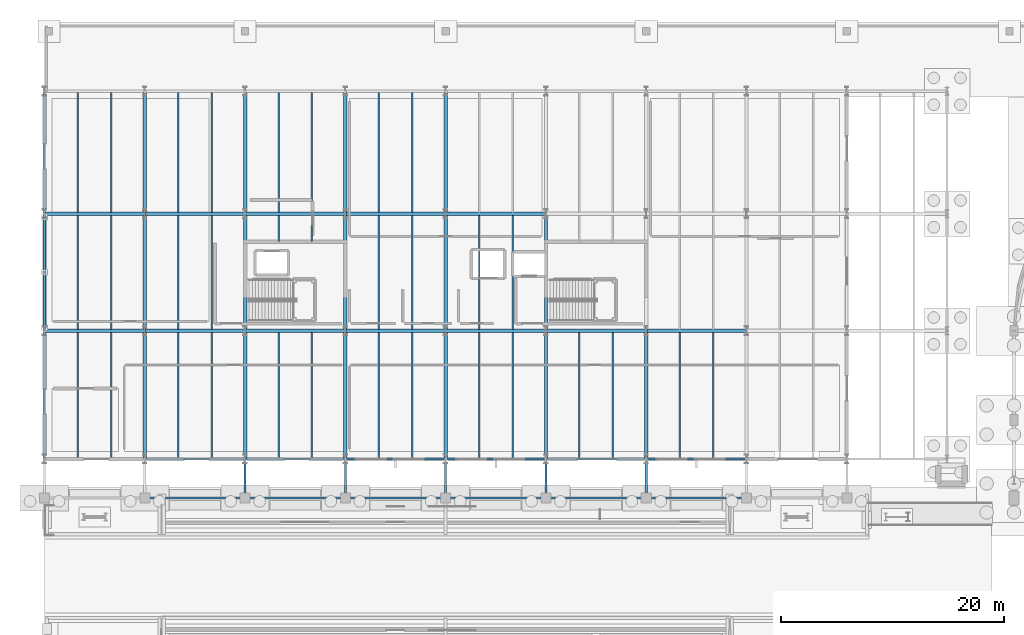
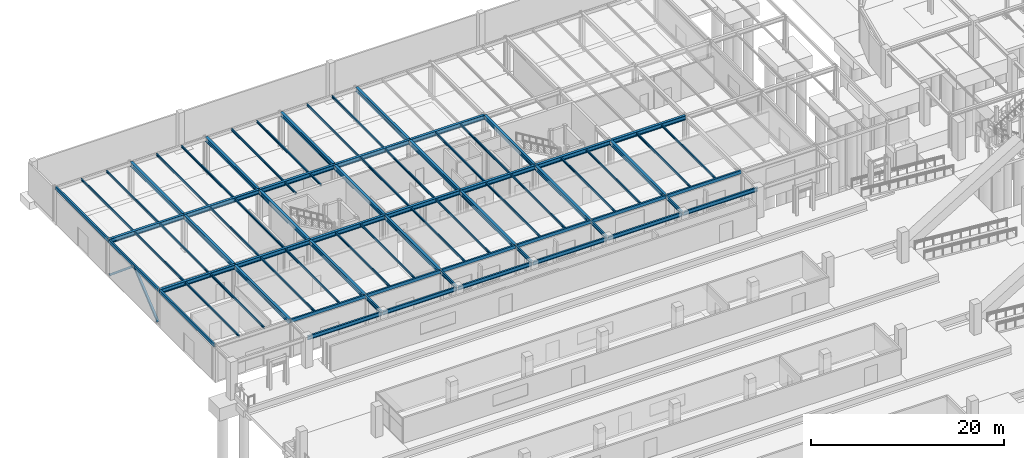
# One storey, part 74 of 160: 79 beams, 2 members.
"""IFC4 building model written with IfcOpenShell, lengths in metres."""

from ifc_helpers import new_model, si_unit, direction, frame, origin, origin_2d, place, context, subcontext, project, spatial, hollow_rectangle, i_section, extrude, material, material_profile, profile_set, type_object, element, save


model = new_model("IFC4")

# Units and contexts
model_context = context("Model", 3, precision=1e-05, world=origin(), true_north=direction((0.0, 1.0)))
body_context = subcontext(model_context, "Body", "Model", "MODEL_VIEW")
ifc_project = project(units=[si_unit("LENGTHUNIT", "METRE"), si_unit("AREAUNIT", "SQUARE_METRE"), si_unit("VOLUMEUNIT", "CUBIC_METRE"), si_unit("PLANEANGLEUNIT", "RADIAN"), si_unit("MASSUNIT", "GRAM", prefix="KILO")], contexts=[model_context])

# Site, building, storey
site_placement = place(None, origin())
site = spatial("IfcSite", under=ifc_project, at=site_placement, CompositionType="ELEMENT")
building_placement = place(site_placement, origin())
building = spatial("IfcBuilding", under=site, at=building_placement, Name="Marlcrest Central Station", CompositionType="ELEMENT")
storey_placement = place(building_placement, origin())
storey = spatial("IfcBuildingStorey", under=building, at=storey_placement, Name="L00", CompositionType="ELEMENT", Elevation=0.0)

# Members
ifc_material = material(Name="Steel S355", Category="steel")
ifc_material_profile_1 = material_profile(ifc_material, hollow_rectangle(XDim=0.25, YDim=0.25, WallThickness=0.012451171875, at=origin_2d()), Name="SHS 250x250x12.5")
ifc_profile_set_1 = profile_set([ifc_material_profile_1], Name="Steel S355")
member_type = type_object("IfcMemberType", Name="BF-02", PredefinedType="BRACE", material=ifc_profile_set_1)
for number, where, z_axis, x_axis, name in (
    (1, (0.0, 110.800048828125, 0.25), (0.0, 0.769355341614, 0.638821069103), (-1.0, 0.0, 0.0), "mem-BF-02-L00-00001"),
    (2, (0.0, 120.699951171875, 0.25), (0.0, -0.769355341614, 0.638821069103), (1.0, 0.0, 0.0), "mem-BF-02-L00-00002"),
):
    element("IfcMember", number, at=place(storey_placement, frame(where, z_axis=z_axis, x_axis=x_axis)), inside=storey, type_object=member_type, Name=name, PredefinedType="BRACE", context=body_context, shape_type="SweptSolid", body=[
        extrude(hollow_rectangle(XDim=0.25, YDim=0.25, WallThickness=0.012451171875, at=origin_2d()), origin(), (0.0, 0.0, 1.0), 6.433837890625),
    ])

# Beams
ifc_material_profile_2 = material_profile(ifc_material, i_section(OverallWidth=0.18994140625, OverallDepth=0.449951171875, WebThickness=0.009521484375, FlangeThickness=0.0146484375, FilletRadius=0.02099609375, at=origin_2d()), Name="IPE 450")
ifc_profile_set_2 = profile_set([ifc_material_profile_2], Name="Steel S355")
beam_type_1 = type_object("IfcBeamType", Name="BM-04", PredefinedType="BEAM", material=ifc_profile_set_2)
for number, where, z_axis, x_axis, name in (
    (3, (18.0, 95.550048828125, 4.385009765625), (0.0, 1.0, 0.0), (-1.0, 0.0, 0.0), "bm-BM-04-L00-01064"),
    (4, (27.0, 95.550048828125, 4.385009765625), (0.0, 1.0, 0.0), (-1.0, 0.0, 0.0), "bm-BM-04-L00-01069"),
    (5, (36.0, 95.550048828125, 4.385009765625), (0.0, 1.0, 0.0), (-1.0, 0.0, 0.0), "bm-BM-04-L00-01074"),
    (6, (45.0, 95.550048828125, 4.385009765625), (0.0, 1.0, 0.0), (-1.0, 0.0, 0.0), "bm-BM-04-L00-01079"),
    (7, (54.0, 95.550048828125, 4.385009765625), (0.0, 1.0, 0.0), (-1.0, 0.0, 0.0), "bm-BM-04-L00-01084"),
):
    element("IfcBeam", number, at=place(storey_placement, frame(where, z_axis=z_axis, x_axis=x_axis)), inside=storey, type_object=beam_type_1, Name=name, PredefinedType="BEAM", context=body_context, shape_type="SweptSolid", body=[
        extrude(i_section(OverallWidth=0.18994140625, OverallDepth=0.449951171875, WebThickness=0.009521484375, FlangeThickness=0.0146484375, FilletRadius=0.02099609375, at=origin_2d()), origin(), (0.0, 0.0, 1.0), 3.39990234375),
    ])
ifc_material_profile_3 = material_profile(ifc_material, i_section(OverallWidth=0.199951171875, OverallDepth=0.5, WebThickness=0.01025390625, FlangeThickness=0.01611328125, FilletRadius=0.02099609375, at=origin_2d()), Name="IPE 500")
ifc_profile_set_3 = profile_set([ifc_material_profile_3], Name="Steel S355")
beam_type_2 = type_object("IfcBeamType", Name="BM-05", PredefinedType="BEAM", material=ifc_profile_set_3)
for number, where, z_axis, x_axis, name in (
    (8, (9.050048828125, 95.5, 4.360107421875), (1.0, 0.0, 0.0), (0.0, 1.0, 0.0), "bm-BM-05-L00-01062"),
    (9, (18.050048828125, 95.5, 4.360107421875), (1.0, 0.0, 0.0), (0.0, 1.0, 0.0), "bm-BM-05-L00-01067"),
    (10, (27.050048828125, 95.5, 4.360107421875), (1.0, 0.0, 0.0), (0.0, 1.0, 0.0), "bm-BM-05-L00-01072"),
    (11, (36.050048828125, 95.5, 4.360107421875), (1.0, 0.0, 0.0), (0.0, 1.0, 0.0), "bm-BM-05-L00-01077"),
    (12, (45.050048828125, 95.5, 4.360107421875), (1.0, 0.0, 0.0), (0.0, 1.0, 0.0), "bm-BM-05-L00-01082"),
    (13, (54.050048828125, 95.5, 4.360107421875), (1.0, 0.0, 0.0), (0.0, 1.0, 0.0), "bm-BM-05-L00-01087"),
):
    element("IfcBeam", number, at=place(storey_placement, frame(where, z_axis=z_axis, x_axis=x_axis)), inside=storey, type_object=beam_type_2, Name=name, PredefinedType="BEAM", context=body_context, shape_type="SweptSolid", body=[
        extrude(i_section(OverallWidth=0.199951171875, OverallDepth=0.5, WebThickness=0.01025390625, FlangeThickness=0.01611328125, FilletRadius=0.02099609375, at=origin_2d()), origin(), (0.0, 0.0, 1.0), 8.89990234375),
    ])
ifc_material_profile_4 = material_profile(ifc_material, i_section(OverallWidth=0.300048828125, OverallDepth=0.550048828125, WebThickness=0.014892578125, FlangeThickness=0.029052734375, FilletRadius=0.027099609375, at=origin_2d()), Name="HEB 550")
ifc_profile_set_4 = profile_set([ifc_material_profile_4], Name="Steel S355")
beam_type_3 = type_object("IfcBeamType", Name="BM-11", PredefinedType="BEAM", material=ifc_profile_set_4)
for number, where, z_axis, x_axis, name in (
    (14, (0.050048828125, 110.5, 4.3349609375), (1.0, 0.0, 0.0), (0.0, 1.0, 0.0), "bm-BM-11-L00-00116"),
    (15, (9.050048828125, 110.5, 4.3349609375), (1.0, 0.0, 0.0), (0.0, 1.0, 0.0), "bm-BM-11-L00-00117"),
    (16, (18.050048828125, 110.5, 4.3349609375), (1.0, 0.0, 0.0), (0.0, 1.0, 0.0), "bm-BM-11-L00-00118"),
    (17, (27.050048828125, 110.5, 4.3349609375), (1.0, 0.0, 0.0), (0.0, 1.0, 0.0), "bm-BM-11-L00-00119"),
    (18, (36.050048828125, 110.5, 4.3349609375), (1.0, 0.0, 0.0), (0.0, 1.0, 0.0), "bm-BM-11-L00-00120"),
    (19, (45.050048828125, 110.5, 4.3349609375), (1.0, 0.0, 0.0), (0.0, 1.0, 0.0), "bm-BM-11-L00-00121"),
    (20, (54.050048828125, 110.5, 4.3349609375), (1.0, 0.0, 0.0), (0.0, 1.0, 0.0), "bm-BM-11-L00-00122"),
    (21, (0.050048828125, 121.0, 4.3349609375), (1.0, 0.0, 0.0), (0.0, 1.0, 0.0), "bm-BM-11-L00-00124"),
    (22, (9.050048828125, 121.0, 4.3349609375), (1.0, 0.0, 0.0), (0.0, 1.0, 0.0), "bm-BM-11-L00-00125"),
    (23, (18.050048828125, 121.0, 4.3349609375), (1.0, 0.0, 0.0), (0.0, 1.0, 0.0), "bm-BM-11-L00-00126"),
    (24, (27.050048828125, 121.0, 4.3349609375), (1.0, 0.0, 0.0), (0.0, 1.0, 0.0), "bm-BM-11-L00-00127"),
    (25, (36.050048828125, 121.0, 4.3349609375), (1.0, 0.0, 0.0), (0.0, 1.0, 0.0), "bm-BM-11-L00-00128"),
):
    element("IfcBeam", number, at=place(storey_placement, frame(where, z_axis=z_axis, x_axis=x_axis)), inside=storey, type_object=beam_type_3, Name=name, PredefinedType="BEAM", context=body_context, shape_type="SweptSolid", body=[
        extrude(i_section(OverallWidth=0.300048828125, OverallDepth=0.550048828125, WebThickness=0.014892578125, FlangeThickness=0.029052734375, FilletRadius=0.027099609375, at=origin_2d()), origin(), (0.0, 0.0, 1.0), 8.89990234375),
    ])
beam_1_placement = place(storey_placement, frame((9.0, 99.050048828125, 4.3349609375), z_axis=(0.0, 1.0, 0.0), x_axis=(-1.0, 0.0, 0.0)))
element("IfcBeam", 26, at=beam_1_placement, inside=storey, type_object=beam_type_3, Name="bm-BM-11-L00-00143", PredefinedType="BEAM", context=body_context, shape_type="SweptSolid", body=[
    extrude(i_section(OverallWidth=0.300048828125, OverallDepth=0.550048828125, WebThickness=0.014892578125, FlangeThickness=0.029052734375, FilletRadius=0.027099609375, at=origin_2d()), origin(), (0.0, 0.0, 1.0), 11.39990234375),
])
beam_2_placement = place(storey_placement, frame((9.0, 110.550048828125, 4.3349609375), z_axis=(0.0, 1.0, 0.0), x_axis=(-1.0, 0.0, 0.0)))
element("IfcBeam", 27, at=beam_2_placement, inside=storey, type_object=beam_type_3, Name="bm-BM-11-L00-00144", PredefinedType="BEAM", context=body_context, shape_type="SweptSolid", body=[
    extrude(i_section(OverallWidth=0.300048828125, OverallDepth=0.550048828125, WebThickness=0.014892578125, FlangeThickness=0.029052734375, FilletRadius=0.027099609375, at=origin_2d()), origin(), (0.0, 0.0, 1.0), 10.39990234375),
])
beam_3_placement = place(storey_placement, frame((9.0, 121.050048828125, 4.3349609375), z_axis=(0.0, 1.0, 0.0), x_axis=(-1.0, 0.0, 0.0)))
element("IfcBeam", 28, at=beam_3_placement, inside=storey, type_object=beam_type_3, Name="bm-BM-11-L00-00145", PredefinedType="BEAM", context=body_context, shape_type="SweptSolid", body=[
    extrude(i_section(OverallWidth=0.300048828125, OverallDepth=0.550048828125, WebThickness=0.014892578125, FlangeThickness=0.029052734375, FilletRadius=0.027099609375, at=origin_2d()), origin(), (0.0, 0.0, 1.0), 10.89990234375),
])
beam_4_placement = place(storey_placement, frame((18.0, 99.050048828125, 4.3349609375), z_axis=(0.0, 1.0, 0.0), x_axis=(-1.0, 0.0, 0.0)))
element("IfcBeam", 29, at=beam_4_placement, inside=storey, type_object=beam_type_3, Name="bm-BM-11-L00-00146", PredefinedType="BEAM", context=body_context, shape_type="SweptSolid", body=[
    extrude(i_section(OverallWidth=0.300048828125, OverallDepth=0.550048828125, WebThickness=0.014892578125, FlangeThickness=0.029052734375, FilletRadius=0.027099609375, at=origin_2d()), origin(), (0.0, 0.0, 1.0), 11.39990234375),
])
beam_5_placement = place(storey_placement, frame((18.0, 110.550048828125, 4.3349609375), z_axis=(0.0, 1.0, 0.0), x_axis=(-1.0, 0.0, 0.0)))
element("IfcBeam", 30, at=beam_5_placement, inside=storey, type_object=beam_type_3, Name="bm-BM-11-L00-00147", PredefinedType="BEAM", context=body_context, shape_type="SweptSolid", body=[
    extrude(i_section(OverallWidth=0.300048828125, OverallDepth=0.550048828125, WebThickness=0.014892578125, FlangeThickness=0.029052734375, FilletRadius=0.027099609375, at=origin_2d()), origin(), (0.0, 0.0, 1.0), 10.39990234375),
])
beam_6_placement = place(storey_placement, frame((18.0, 121.050048828125, 4.3349609375), z_axis=(0.0, 1.0, 0.0), x_axis=(-1.0, 0.0, 0.0)))
element("IfcBeam", 31, at=beam_6_placement, inside=storey, type_object=beam_type_3, Name="bm-BM-11-L00-00148", PredefinedType="BEAM", context=body_context, shape_type="SweptSolid", body=[
    extrude(i_section(OverallWidth=0.300048828125, OverallDepth=0.550048828125, WebThickness=0.014892578125, FlangeThickness=0.029052734375, FilletRadius=0.027099609375, at=origin_2d()), origin(), (0.0, 0.0, 1.0), 10.89990234375),
])
beam_7_placement = place(storey_placement, frame((27.0, 99.050048828125, 4.3349609375), z_axis=(0.0, 1.0, 0.0), x_axis=(-1.0, 0.0, 0.0)))
element("IfcBeam", 32, at=beam_7_placement, inside=storey, type_object=beam_type_3, Name="bm-BM-11-L00-00149", PredefinedType="BEAM", context=body_context, shape_type="SweptSolid", body=[
    extrude(i_section(OverallWidth=0.300048828125, OverallDepth=0.550048828125, WebThickness=0.014892578125, FlangeThickness=0.029052734375, FilletRadius=0.027099609375, at=origin_2d()), origin(), (0.0, 0.0, 1.0), 11.39990234375),
])
beam_8_placement = place(storey_placement, frame((27.0, 110.550048828125, 4.3349609375), z_axis=(0.0, 1.0, 0.0), x_axis=(-1.0, 0.0, 0.0)))
element("IfcBeam", 33, at=beam_8_placement, inside=storey, type_object=beam_type_3, Name="bm-BM-11-L00-00150", PredefinedType="BEAM", context=body_context, shape_type="SweptSolid", body=[
    extrude(i_section(OverallWidth=0.300048828125, OverallDepth=0.550048828125, WebThickness=0.014892578125, FlangeThickness=0.029052734375, FilletRadius=0.027099609375, at=origin_2d()), origin(), (0.0, 0.0, 1.0), 10.39990234375),
])
beam_9_placement = place(storey_placement, frame((27.0, 121.050048828125, 4.3349609375), z_axis=(0.0, 1.0, 0.0), x_axis=(-1.0, 0.0, 0.0)))
element("IfcBeam", 34, at=beam_9_placement, inside=storey, type_object=beam_type_3, Name="bm-BM-11-L00-00151", PredefinedType="BEAM", context=body_context, shape_type="SweptSolid", body=[
    extrude(i_section(OverallWidth=0.300048828125, OverallDepth=0.550048828125, WebThickness=0.014892578125, FlangeThickness=0.029052734375, FilletRadius=0.027099609375, at=origin_2d()), origin(), (0.0, 0.0, 1.0), 10.89990234375),
])
beam_10_placement = place(storey_placement, frame((36.0, 99.050048828125, 4.3349609375), z_axis=(0.0, 1.0, 0.0), x_axis=(-1.0, 0.0, 0.0)))
element("IfcBeam", 35, at=beam_10_placement, inside=storey, type_object=beam_type_3, Name="bm-BM-11-L00-00152", PredefinedType="BEAM", context=body_context, shape_type="SweptSolid", body=[
    extrude(i_section(OverallWidth=0.300048828125, OverallDepth=0.550048828125, WebThickness=0.014892578125, FlangeThickness=0.029052734375, FilletRadius=0.027099609375, at=origin_2d()), origin(), (0.0, 0.0, 1.0), 11.39990234375),
])
beam_11_placement = place(storey_placement, frame((36.0, 110.550048828125, 4.3349609375), z_axis=(0.0, 1.0, 0.0), x_axis=(-1.0, 0.0, 0.0)))
element("IfcBeam", 36, at=beam_11_placement, inside=storey, type_object=beam_type_3, Name="bm-BM-11-L00-00153", PredefinedType="BEAM", context=body_context, shape_type="SweptSolid", body=[
    extrude(i_section(OverallWidth=0.300048828125, OverallDepth=0.550048828125, WebThickness=0.014892578125, FlangeThickness=0.029052734375, FilletRadius=0.027099609375, at=origin_2d()), origin(), (0.0, 0.0, 1.0), 10.39990234375),
])
beam_12_placement = place(storey_placement, frame((36.0, 121.050048828125, 4.3349609375), z_axis=(0.0, 1.0, 0.0), x_axis=(-1.0, 0.0, 0.0)))
element("IfcBeam", 37, at=beam_12_placement, inside=storey, type_object=beam_type_3, Name="bm-BM-11-L00-00154", PredefinedType="BEAM", context=body_context, shape_type="SweptSolid", body=[
    extrude(i_section(OverallWidth=0.300048828125, OverallDepth=0.550048828125, WebThickness=0.014892578125, FlangeThickness=0.029052734375, FilletRadius=0.027099609375, at=origin_2d()), origin(), (0.0, 0.0, 1.0), 10.89990234375),
])
beam_13_placement = place(storey_placement, frame((45.0, 99.050048828125, 4.3349609375), z_axis=(0.0, 1.0, 0.0), x_axis=(-1.0, 0.0, 0.0)))
element("IfcBeam", 38, at=beam_13_placement, inside=storey, type_object=beam_type_3, Name="bm-BM-11-L00-00155", PredefinedType="BEAM", context=body_context, shape_type="SweptSolid", body=[
    extrude(i_section(OverallWidth=0.300048828125, OverallDepth=0.550048828125, WebThickness=0.014892578125, FlangeThickness=0.029052734375, FilletRadius=0.027099609375, at=origin_2d()), origin(), (0.0, 0.0, 1.0), 11.39990234375),
])
beam_14_placement = place(storey_placement, frame((45.0, 110.550048828125, 4.3349609375), z_axis=(0.0, 1.0, 0.0), x_axis=(-1.0, 0.0, 0.0)))
element("IfcBeam", 39, at=beam_14_placement, inside=storey, type_object=beam_type_3, Name="bm-BM-11-L00-00156", PredefinedType="BEAM", context=body_context, shape_type="SweptSolid", body=[
    extrude(i_section(OverallWidth=0.300048828125, OverallDepth=0.550048828125, WebThickness=0.014892578125, FlangeThickness=0.029052734375, FilletRadius=0.027099609375, at=origin_2d()), origin(), (0.0, 0.0, 1.0), 10.39990234375),
])
beam_15_placement = place(storey_placement, frame((54.0, 99.050048828125, 4.3349609375), z_axis=(0.0, 1.0, 0.0), x_axis=(-1.0, 0.0, 0.0)))
element("IfcBeam", 40, at=beam_15_placement, inside=storey, type_object=beam_type_3, Name="bm-BM-11-L00-00158", PredefinedType="BEAM", context=body_context, shape_type="SweptSolid", body=[
    extrude(i_section(OverallWidth=0.300048828125, OverallDepth=0.550048828125, WebThickness=0.014892578125, FlangeThickness=0.029052734375, FilletRadius=0.027099609375, at=origin_2d()), origin(), (0.0, 0.0, 1.0), 11.39990234375),
])
ifc_material_profile_5 = material_profile(ifc_material, i_section(OverallWidth=0.135009765625, OverallDepth=0.27001953125, WebThickness=0.006591796875, FlangeThickness=0.01025390625, FilletRadius=0.014892578125, at=origin_2d()), Name="IPE 270")
ifc_profile_set_5 = profile_set([ifc_material_profile_5], Name="Steel S355")
beam_type_4 = type_object("IfcBeamType", Name="JS-04", PredefinedType="JOIST", material=ifc_profile_set_5)
beam_16_placement = place(storey_placement, frame((3.0, 99.094970703125, 4.47509765625), z_axis=(0.0, 1.0, 0.0), x_axis=(-1.0, 0.0, 0.0)))
element("IfcBeam", 41, at=beam_16_placement, inside=storey, type_object=beam_type_4, Name="bm-JS-04-L00-00167", PredefinedType="JOIST", context=body_context, shape_type="SweptSolid", body=[
    extrude(i_section(OverallWidth=0.135009765625, OverallDepth=0.27001953125, WebThickness=0.006591796875, FlangeThickness=0.01025390625, FilletRadius=0.014892578125, at=origin_2d()), origin(), (0.0, 0.0, 1.0), 11.260009765625),
])
beam_17_placement = place(storey_placement, frame((3.0, 110.64501953125, 4.47509765625), z_axis=(0.0, 1.0, 0.0), x_axis=(-1.0, 0.0, 0.0)))
element("IfcBeam", 42, at=beam_17_placement, inside=storey, type_object=beam_type_4, Name="bm-JS-04-L00-00168", PredefinedType="JOIST", context=body_context, shape_type="SweptSolid", body=[
    extrude(i_section(OverallWidth=0.135009765625, OverallDepth=0.27001953125, WebThickness=0.006591796875, FlangeThickness=0.01025390625, FilletRadius=0.014892578125, at=origin_2d()), origin(), (0.0, 0.0, 1.0), 10.2099609375),
])
beam_18_placement = place(storey_placement, frame((3.0, 121.14501953125, 4.47509765625), z_axis=(0.0, 1.0, 0.0), x_axis=(-1.0, 0.0, 0.0)))
element("IfcBeam", 43, at=beam_18_placement, inside=storey, type_object=beam_type_4, Name="bm-JS-04-L00-00169", PredefinedType="JOIST", context=body_context, shape_type="SweptSolid", body=[
    extrude(i_section(OverallWidth=0.135009765625, OverallDepth=0.27001953125, WebThickness=0.006591796875, FlangeThickness=0.01025390625, FilletRadius=0.014892578125, at=origin_2d()), origin(), (0.0, 0.0, 1.0), 10.760009765625),
])
beam_19_placement = place(storey_placement, frame((6.0, 99.094970703125, 4.47509765625), z_axis=(0.0, 1.0, 0.0), x_axis=(-1.0, 0.0, 0.0)))
element("IfcBeam", 44, at=beam_19_placement, inside=storey, type_object=beam_type_4, Name="bm-JS-04-L00-00170", PredefinedType="JOIST", context=body_context, shape_type="SweptSolid", body=[
    extrude(i_section(OverallWidth=0.135009765625, OverallDepth=0.27001953125, WebThickness=0.006591796875, FlangeThickness=0.01025390625, FilletRadius=0.014892578125, at=origin_2d()), origin(), (0.0, 0.0, 1.0), 11.260009765625),
])
beam_20_placement = place(storey_placement, frame((6.0, 110.64501953125, 4.47509765625), z_axis=(0.0, 1.0, 0.0), x_axis=(-1.0, 0.0, 0.0)))
element("IfcBeam", 45, at=beam_20_placement, inside=storey, type_object=beam_type_4, Name="bm-JS-04-L00-00171", PredefinedType="JOIST", context=body_context, shape_type="SweptSolid", body=[
    extrude(i_section(OverallWidth=0.135009765625, OverallDepth=0.27001953125, WebThickness=0.006591796875, FlangeThickness=0.01025390625, FilletRadius=0.014892578125, at=origin_2d()), origin(), (0.0, 0.0, 1.0), 10.2099609375),
])
beam_21_placement = place(storey_placement, frame((6.0, 121.14501953125, 4.47509765625), z_axis=(0.0, 1.0, 0.0), x_axis=(-1.0, 0.0, 0.0)))
element("IfcBeam", 46, at=beam_21_placement, inside=storey, type_object=beam_type_4, Name="bm-JS-04-L00-00172", PredefinedType="JOIST", context=body_context, shape_type="SweptSolid", body=[
    extrude(i_section(OverallWidth=0.135009765625, OverallDepth=0.27001953125, WebThickness=0.006591796875, FlangeThickness=0.01025390625, FilletRadius=0.014892578125, at=origin_2d()), origin(), (0.0, 0.0, 1.0), 10.760009765625),
])
beam_22_placement = place(storey_placement, frame((12.0, 99.094970703125, 4.47509765625), z_axis=(0.0, 1.0, 0.0), x_axis=(-1.0, 0.0, 0.0)))
element("IfcBeam", 47, at=beam_22_placement, inside=storey, type_object=beam_type_4, Name="bm-JS-04-L00-00173", PredefinedType="JOIST", context=body_context, shape_type="SweptSolid", body=[
    extrude(i_section(OverallWidth=0.135009765625, OverallDepth=0.27001953125, WebThickness=0.006591796875, FlangeThickness=0.01025390625, FilletRadius=0.014892578125, at=origin_2d()), origin(), (0.0, 0.0, 1.0), 11.260009765625),
])
beam_23_placement = place(storey_placement, frame((12.0, 110.64501953125, 4.47509765625), z_axis=(0.0, 1.0, 0.0), x_axis=(-1.0, 0.0, 0.0)))
element("IfcBeam", 48, at=beam_23_placement, inside=storey, type_object=beam_type_4, Name="bm-JS-04-L00-00174", PredefinedType="JOIST", context=body_context, shape_type="SweptSolid", body=[
    extrude(i_section(OverallWidth=0.135009765625, OverallDepth=0.27001953125, WebThickness=0.006591796875, FlangeThickness=0.01025390625, FilletRadius=0.014892578125, at=origin_2d()), origin(), (0.0, 0.0, 1.0), 10.2099609375),
])
beam_24_placement = place(storey_placement, frame((12.0, 121.14501953125, 4.47509765625), z_axis=(0.0, 1.0, 0.0), x_axis=(-1.0, 0.0, 0.0)))
element("IfcBeam", 49, at=beam_24_placement, inside=storey, type_object=beam_type_4, Name="bm-JS-04-L00-00175", PredefinedType="JOIST", context=body_context, shape_type="SweptSolid", body=[
    extrude(i_section(OverallWidth=0.135009765625, OverallDepth=0.27001953125, WebThickness=0.006591796875, FlangeThickness=0.01025390625, FilletRadius=0.014892578125, at=origin_2d()), origin(), (0.0, 0.0, 1.0), 10.760009765625),
])
beam_25_placement = place(storey_placement, frame((15.0, 99.094970703125, 4.47509765625), z_axis=(0.0, 1.0, 0.0), x_axis=(-1.0, 0.0, 0.0)))
element("IfcBeam", 50, at=beam_25_placement, inside=storey, type_object=beam_type_4, Name="bm-JS-04-L00-00176", PredefinedType="JOIST", context=body_context, shape_type="SweptSolid", body=[
    extrude(i_section(OverallWidth=0.135009765625, OverallDepth=0.27001953125, WebThickness=0.006591796875, FlangeThickness=0.01025390625, FilletRadius=0.014892578125, at=origin_2d()), origin(), (0.0, 0.0, 1.0), 11.260009765625),
])
beam_26_placement = place(storey_placement, frame((15.0, 110.64501953125, 4.47509765625), z_axis=(0.0, 1.0, 0.0), x_axis=(-1.0, 0.0, 0.0)))
element("IfcBeam", 51, at=beam_26_placement, inside=storey, type_object=beam_type_4, Name="bm-JS-04-L00-00177", PredefinedType="JOIST", context=body_context, shape_type="SweptSolid", body=[
    extrude(i_section(OverallWidth=0.135009765625, OverallDepth=0.27001953125, WebThickness=0.006591796875, FlangeThickness=0.01025390625, FilletRadius=0.014892578125, at=origin_2d()), origin(), (0.0, 0.0, 1.0), 10.2099609375),
])
beam_27_placement = place(storey_placement, frame((15.0, 121.14501953125, 4.47509765625), z_axis=(0.0, 1.0, 0.0), x_axis=(-1.0, 0.0, 0.0)))
element("IfcBeam", 52, at=beam_27_placement, inside=storey, type_object=beam_type_4, Name="bm-JS-04-L00-00178", PredefinedType="JOIST", context=body_context, shape_type="SweptSolid", body=[
    extrude(i_section(OverallWidth=0.135009765625, OverallDepth=0.27001953125, WebThickness=0.006591796875, FlangeThickness=0.01025390625, FilletRadius=0.014892578125, at=origin_2d()), origin(), (0.0, 0.0, 1.0), 10.760009765625),
])
beam_28_placement = place(storey_placement, frame((21.0, 99.094970703125, 4.47509765625), z_axis=(0.0, 1.0, 0.0), x_axis=(-1.0, 0.0, 0.0)))
element("IfcBeam", 53, at=beam_28_placement, inside=storey, type_object=beam_type_4, Name="bm-JS-04-L00-00179", PredefinedType="JOIST", context=body_context, shape_type="SweptSolid", body=[
    extrude(i_section(OverallWidth=0.135009765625, OverallDepth=0.27001953125, WebThickness=0.006591796875, FlangeThickness=0.01025390625, FilletRadius=0.014892578125, at=origin_2d()), origin(), (0.0, 0.0, 1.0), 11.260009765625),
])
beam_29_placement = place(storey_placement, frame((21.0, 118.52001953125, 4.47509765625), z_axis=(0.0, 1.0, 0.0), x_axis=(-1.0, 0.0, 0.0)))
element("IfcBeam", 54, at=beam_29_placement, inside=storey, type_object=beam_type_4, Name="bm-JS-04-L00-00180", PredefinedType="JOIST", context=body_context, shape_type="SweptSolid", body=[
    extrude(i_section(OverallWidth=0.135009765625, OverallDepth=0.27001953125, WebThickness=0.006591796875, FlangeThickness=0.01025390625, FilletRadius=0.014892578125, at=origin_2d()), origin(), (0.0, 0.0, 1.0), 2.3349609375),
])
beam_30_placement = place(storey_placement, frame((21.0, 121.14501953125, 4.47509765625), z_axis=(0.0, 1.0, 0.0), x_axis=(-1.0, 0.0, 0.0)))
element("IfcBeam", 55, at=beam_30_placement, inside=storey, type_object=beam_type_4, Name="bm-JS-04-L00-00181", PredefinedType="JOIST", context=body_context, shape_type="SweptSolid", body=[
    extrude(i_section(OverallWidth=0.135009765625, OverallDepth=0.27001953125, WebThickness=0.006591796875, FlangeThickness=0.01025390625, FilletRadius=0.014892578125, at=origin_2d()), origin(), (0.0, 0.0, 1.0), 10.760009765625),
])
beam_31_placement = place(storey_placement, frame((24.0, 99.094970703125, 4.47509765625), z_axis=(0.0, 1.0, 0.0), x_axis=(-1.0, 0.0, 0.0)))
element("IfcBeam", 56, at=beam_31_placement, inside=storey, type_object=beam_type_4, Name="bm-JS-04-L00-00182", PredefinedType="JOIST", context=body_context, shape_type="SweptSolid", body=[
    extrude(i_section(OverallWidth=0.135009765625, OverallDepth=0.27001953125, WebThickness=0.006591796875, FlangeThickness=0.01025390625, FilletRadius=0.014892578125, at=origin_2d()), origin(), (0.0, 0.0, 1.0), 11.260009765625),
])
beam_32_placement = place(storey_placement, frame((24.0, 118.52001953125, 4.47509765625), z_axis=(0.0, 1.0, 0.0), x_axis=(-1.0, 0.0, 0.0)))
element("IfcBeam", 57, at=beam_32_placement, inside=storey, type_object=beam_type_4, Name="bm-JS-04-L00-00183", PredefinedType="JOIST", context=body_context, shape_type="SweptSolid", body=[
    extrude(i_section(OverallWidth=0.135009765625, OverallDepth=0.27001953125, WebThickness=0.006591796875, FlangeThickness=0.01025390625, FilletRadius=0.014892578125, at=origin_2d()), origin(), (0.0, 0.0, 1.0), 2.3349609375),
])
beam_33_placement = place(storey_placement, frame((24.0, 121.14501953125, 4.47509765625), z_axis=(0.0, 1.0, 0.0), x_axis=(-1.0, 0.0, 0.0)))
element("IfcBeam", 58, at=beam_33_placement, inside=storey, type_object=beam_type_4, Name="bm-JS-04-L00-00184", PredefinedType="JOIST", context=body_context, shape_type="SweptSolid", body=[
    extrude(i_section(OverallWidth=0.135009765625, OverallDepth=0.27001953125, WebThickness=0.006591796875, FlangeThickness=0.01025390625, FilletRadius=0.014892578125, at=origin_2d()), origin(), (0.0, 0.0, 1.0), 10.760009765625),
])
beam_34_placement = place(storey_placement, frame((30.0, 99.094970703125, 4.47509765625), z_axis=(0.0, 1.0, 0.0), x_axis=(-1.0, 0.0, 0.0)))
element("IfcBeam", 59, at=beam_34_placement, inside=storey, type_object=beam_type_4, Name="bm-JS-04-L00-00185", PredefinedType="JOIST", context=body_context, shape_type="SweptSolid", body=[
    extrude(i_section(OverallWidth=0.135009765625, OverallDepth=0.27001953125, WebThickness=0.006591796875, FlangeThickness=0.01025390625, FilletRadius=0.014892578125, at=origin_2d()), origin(), (0.0, 0.0, 1.0), 11.260009765625),
])
beam_35_placement = place(storey_placement, frame((30.0, 110.64501953125, 4.47509765625), z_axis=(0.0, 1.0, 0.0), x_axis=(-1.0, 0.0, 0.0)))
element("IfcBeam", 60, at=beam_35_placement, inside=storey, type_object=beam_type_4, Name="bm-JS-04-L00-00186", PredefinedType="JOIST", context=body_context, shape_type="SweptSolid", body=[
    extrude(i_section(OverallWidth=0.135009765625, OverallDepth=0.27001953125, WebThickness=0.006591796875, FlangeThickness=0.01025390625, FilletRadius=0.014892578125, at=origin_2d()), origin(), (0.0, 0.0, 1.0), 10.2099609375),
])
beam_36_placement = place(storey_placement, frame((30.0, 121.14501953125, 4.47509765625), z_axis=(0.0, 1.0, 0.0), x_axis=(-1.0, 0.0, 0.0)))
element("IfcBeam", 61, at=beam_36_placement, inside=storey, type_object=beam_type_4, Name="bm-JS-04-L00-00187", PredefinedType="JOIST", context=body_context, shape_type="SweptSolid", body=[
    extrude(i_section(OverallWidth=0.135009765625, OverallDepth=0.27001953125, WebThickness=0.006591796875, FlangeThickness=0.01025390625, FilletRadius=0.014892578125, at=origin_2d()), origin(), (0.0, 0.0, 1.0), 10.760009765625),
])
beam_37_placement = place(storey_placement, frame((33.0, 99.094970703125, 4.47509765625), z_axis=(0.0, 1.0, 0.0), x_axis=(-1.0, 0.0, 0.0)))
element("IfcBeam", 62, at=beam_37_placement, inside=storey, type_object=beam_type_4, Name="bm-JS-04-L00-00188", PredefinedType="JOIST", context=body_context, shape_type="SweptSolid", body=[
    extrude(i_section(OverallWidth=0.135009765625, OverallDepth=0.27001953125, WebThickness=0.006591796875, FlangeThickness=0.01025390625, FilletRadius=0.014892578125, at=origin_2d()), origin(), (0.0, 0.0, 1.0), 11.260009765625),
])
beam_38_placement = place(storey_placement, frame((33.0, 110.64501953125, 4.47509765625), z_axis=(0.0, 1.0, 0.0), x_axis=(-1.0, 0.0, 0.0)))
element("IfcBeam", 63, at=beam_38_placement, inside=storey, type_object=beam_type_4, Name="bm-JS-04-L00-00189", PredefinedType="JOIST", context=body_context, shape_type="SweptSolid", body=[
    extrude(i_section(OverallWidth=0.135009765625, OverallDepth=0.27001953125, WebThickness=0.006591796875, FlangeThickness=0.01025390625, FilletRadius=0.014892578125, at=origin_2d()), origin(), (0.0, 0.0, 1.0), 10.2099609375),
])
beam_39_placement = place(storey_placement, frame((33.0, 121.14501953125, 4.47509765625), z_axis=(0.0, 1.0, 0.0), x_axis=(-1.0, 0.0, 0.0)))
element("IfcBeam", 64, at=beam_39_placement, inside=storey, type_object=beam_type_4, Name="bm-JS-04-L00-00190", PredefinedType="JOIST", context=body_context, shape_type="SweptSolid", body=[
    extrude(i_section(OverallWidth=0.135009765625, OverallDepth=0.27001953125, WebThickness=0.006591796875, FlangeThickness=0.01025390625, FilletRadius=0.014892578125, at=origin_2d()), origin(), (0.0, 0.0, 1.0), 10.760009765625),
])
beam_40_placement = place(storey_placement, frame((39.0, 99.094970703125, 4.47509765625), z_axis=(0.0, 1.0, 0.0), x_axis=(-1.0, 0.0, 0.0)))
element("IfcBeam", 65, at=beam_40_placement, inside=storey, type_object=beam_type_4, Name="bm-JS-04-L00-00191", PredefinedType="JOIST", context=body_context, shape_type="SweptSolid", body=[
    extrude(i_section(OverallWidth=0.135009765625, OverallDepth=0.27001953125, WebThickness=0.006591796875, FlangeThickness=0.01025390625, FilletRadius=0.014892578125, at=origin_2d()), origin(), (0.0, 0.0, 1.0), 11.260009765625),
])
beam_41_placement = place(storey_placement, frame((39.0, 110.64501953125, 4.47509765625), z_axis=(0.0, 1.0, 0.0), x_axis=(-1.0, 0.0, 0.0)))
element("IfcBeam", 66, at=beam_41_placement, inside=storey, type_object=beam_type_4, Name="bm-JS-04-L00-00192", PredefinedType="JOIST", context=body_context, shape_type="SweptSolid", body=[
    extrude(i_section(OverallWidth=0.135009765625, OverallDepth=0.27001953125, WebThickness=0.006591796875, FlangeThickness=0.01025390625, FilletRadius=0.014892578125, at=origin_2d()), origin(), (0.0, 0.0, 1.0), 10.2099609375),
])
beam_42_placement = place(storey_placement, frame((42.0, 99.094970703125, 4.47509765625), z_axis=(0.0, 1.0, 0.0), x_axis=(-1.0, 0.0, 0.0)))
element("IfcBeam", 67, at=beam_42_placement, inside=storey, type_object=beam_type_4, Name="bm-JS-04-L00-00194", PredefinedType="JOIST", context=body_context, shape_type="SweptSolid", body=[
    extrude(i_section(OverallWidth=0.135009765625, OverallDepth=0.27001953125, WebThickness=0.006591796875, FlangeThickness=0.01025390625, FilletRadius=0.014892578125, at=origin_2d()), origin(), (0.0, 0.0, 1.0), 11.260009765625),
])
beam_43_placement = place(storey_placement, frame((42.0, 110.64501953125, 4.47509765625), z_axis=(0.0, 1.0, 0.0), x_axis=(-1.0, 0.0, 0.0)))
element("IfcBeam", 68, at=beam_43_placement, inside=storey, type_object=beam_type_4, Name="bm-JS-04-L00-00195", PredefinedType="JOIST", context=body_context, shape_type="SweptSolid", body=[
    extrude(i_section(OverallWidth=0.135009765625, OverallDepth=0.27001953125, WebThickness=0.006591796875, FlangeThickness=0.01025390625, FilletRadius=0.014892578125, at=origin_2d()), origin(), (0.0, 0.0, 1.0), 10.2099609375),
])
for number, where, z_axis, x_axis, name in (
    (69, (48.0, 99.094970703125, 4.47509765625), (0.0, 1.0, 0.0), (-1.0, 0.0, 0.0), "bm-JS-04-L00-00197"),
    (70, (51.0, 99.094970703125, 4.47509765625), (0.0, 1.0, 0.0), (-1.0, 0.0, 0.0), "bm-JS-04-L00-00200"),
    (71, (57.0, 99.094970703125, 4.47509765625), (0.0, 1.0, 0.0), (-1.0, 0.0, 0.0), "bm-JS-04-L00-00203"),
    (72, (60.0, 99.094970703125, 4.47509765625), (0.0, 1.0, 0.0), (-1.0, 0.0, 0.0), "bm-JS-04-L00-00206"),
):
    element("IfcBeam", number, at=place(storey_placement, frame(where, z_axis=z_axis, x_axis=x_axis)), inside=storey, type_object=beam_type_4, Name=name, PredefinedType="JOIST", context=body_context, shape_type="SweptSolid", body=[
        extrude(i_section(OverallWidth=0.135009765625, OverallDepth=0.27001953125, WebThickness=0.006591796875, FlangeThickness=0.01025390625, FilletRadius=0.014892578125, at=origin_2d()), origin(), (0.0, 0.0, 1.0), 11.260009765625),
    ])
ifc_material_profile_6 = material_profile(ifc_material, hollow_rectangle(XDim=0.199951171875, YDim=0.39990234375, WallThickness=0.01611328125, at=origin_2d()), Name="RHS 400x200x16")
ifc_profile_set_6 = profile_set([ifc_material_profile_6], Name="Steel S355")
beam_type_5 = type_object("IfcBeamType", Name="SP-01", PredefinedType="SPANDREL", material=ifc_profile_set_6)
for number, where, z_axis, x_axis, name in (
    (73, (9.050048828125, 99.0, 4.409912109375), (1.0, 0.0, 0.0), (0.0, 1.0, 0.0), "bm-SP-01-L00-00109"),
    (74, (18.050048828125, 99.0, 4.409912109375), (1.0, 0.0, 0.0), (0.0, 1.0, 0.0), "bm-SP-01-L00-00110"),
    (75, (27.050048828125, 99.0, 4.409912109375), (1.0, 0.0, 0.0), (0.0, 1.0, 0.0), "bm-SP-01-L00-00111"),
    (76, (36.050048828125, 99.0, 4.409912109375), (1.0, 0.0, 0.0), (0.0, 1.0, 0.0), "bm-SP-01-L00-00112"),
    (77, (45.050048828125, 99.0, 4.409912109375), (1.0, 0.0, 0.0), (0.0, 1.0, 0.0), "bm-SP-01-L00-00113"),
    (78, (54.050048828125, 99.0, 4.409912109375), (1.0, 0.0, 0.0), (0.0, 1.0, 0.0), "bm-SP-01-L00-00114"),
):
    element("IfcBeam", number, at=place(storey_placement, frame(where, z_axis=z_axis, x_axis=x_axis)), inside=storey, type_object=beam_type_5, Name=name, PredefinedType="SPANDREL", context=body_context, shape_type="SweptSolid", body=[
        extrude(hollow_rectangle(XDim=0.199951171875, YDim=0.39990234375, WallThickness=0.01611328125, at=origin_2d()), origin(), (0.0, 0.0, 1.0), 8.89990234375),
    ])
beam_44_placement = place(storey_placement, frame((0.0, 99.050048828125, 4.409912109375), z_axis=(0.0, 1.0, 0.0), x_axis=(-1.0, 0.0, 0.0)))
element("IfcBeam", 79, at=beam_44_placement, inside=storey, type_object=beam_type_5, Name="bm-SP-01-L00-00140", PredefinedType="SPANDREL", context=body_context, shape_type="SweptSolid", body=[
    extrude(hollow_rectangle(XDim=0.199951171875, YDim=0.39990234375, WallThickness=0.01611328125, at=origin_2d()), origin(), (0.0, 0.0, 1.0), 11.39990234375),
])
beam_45_placement = place(storey_placement, frame((0.0, 110.550048828125, 4.409912109375), z_axis=(0.0, 1.0, 0.0), x_axis=(-1.0, 0.0, 0.0)))
element("IfcBeam", 80, at=beam_45_placement, inside=storey, type_object=beam_type_5, Name="bm-SP-01-L00-00141", PredefinedType="SPANDREL", context=body_context, shape_type="SweptSolid", body=[
    extrude(hollow_rectangle(XDim=0.199951171875, YDim=0.39990234375, WallThickness=0.01611328125, at=origin_2d()), origin(), (0.0, 0.0, 1.0), 10.39990234375),
])
beam_46_placement = place(storey_placement, frame((0.0, 121.050048828125, 4.409912109375), z_axis=(0.0, 1.0, 0.0), x_axis=(-1.0, 0.0, 0.0)))
element("IfcBeam", 81, at=beam_46_placement, inside=storey, type_object=beam_type_5, Name="bm-SP-01-L00-00142", PredefinedType="SPANDREL", context=body_context, shape_type="SweptSolid", body=[
    extrude(hollow_rectangle(XDim=0.199951171875, YDim=0.39990234375, WallThickness=0.01611328125, at=origin_2d()), origin(), (0.0, 0.0, 1.0), 10.89990234375),
])

save(model, "model.ifc")
